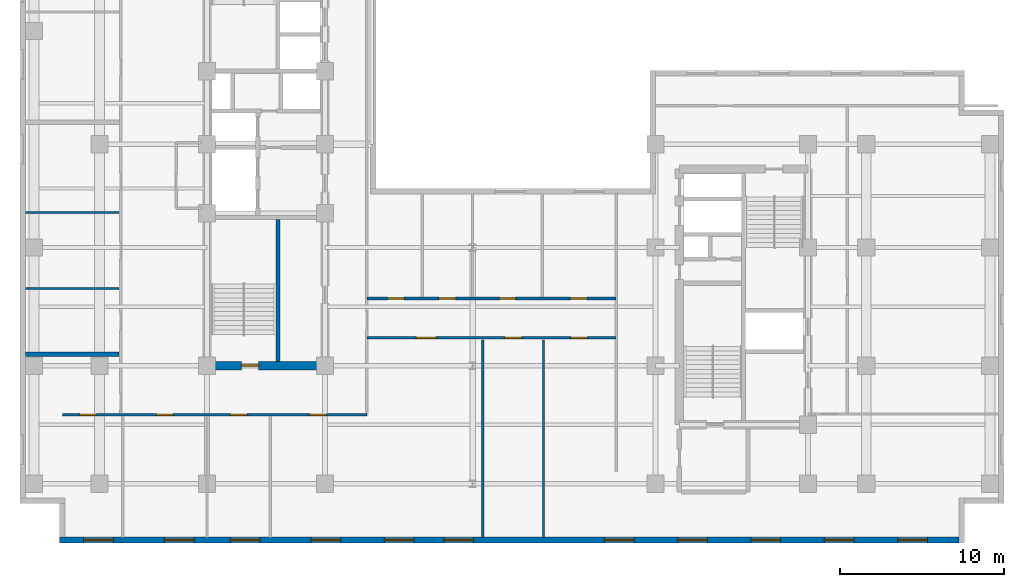
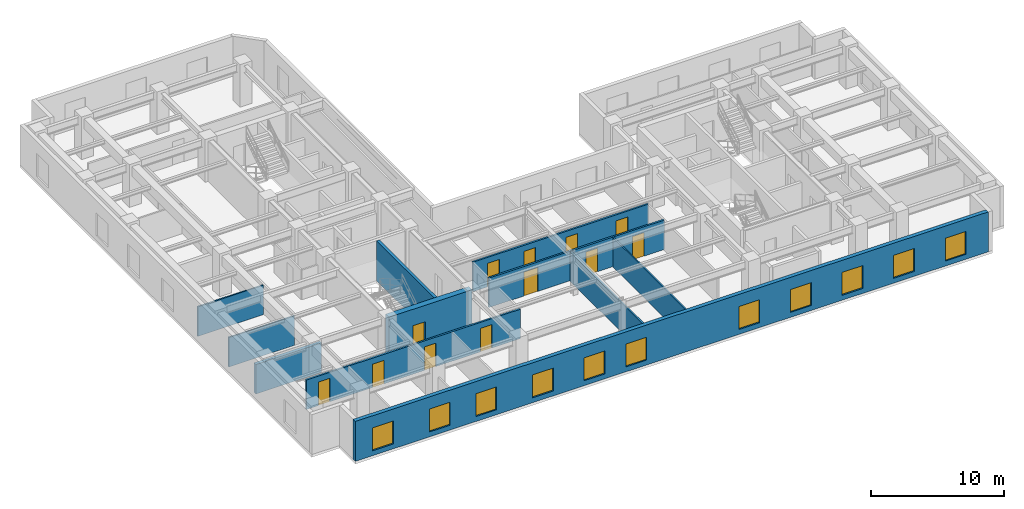
# One storey, part 3 of 9: 12 doors, 11 walls, 11 windows, 23 openings.
"""IFC4 building model written with IfcOpenShell, lengths in metres."""

from ifc_helpers import new_model, entity, si_unit, converted_unit, direction, frame, origin_with_axes, origin_2d_with_axis, place, context, subcontext, project, spatial, polyline, rectangle, outline, extrude, material, layer, layer_set, type_object, element, fill, save


model = new_model("IFC4")

# Units and contexts
model_context = context("Model", 3, precision=1e-05, world=origin_with_axes(), true_north=direction((0.0, 1.0)))
body_context = subcontext(model_context, "Body", "Model", "MODEL_VIEW")
ifc_project = project(units=[si_unit("LENGTHUNIT", "METRE"), si_unit("AREAUNIT", "SQUARE_METRE"), si_unit("VOLUMEUNIT", "CUBIC_METRE"), converted_unit("PLANEANGLEUNIT", "DEGREE", entity("IfcPlaneAngleMeasure", 0.017453292519943295), si_unit("PLANEANGLEUNIT", "RADIAN"), dimensions=[0, 0, 0, 0, 0, 0, 0]), si_unit("MASSUNIT", "GRAM", prefix="KILO"), si_unit("THERMODYNAMICTEMPERATUREUNIT", "KELVIN")], contexts=[model_context])

# Site, building, storey
site_placement = place(None, origin_with_axes())
site = spatial("IfcSite", under=ifc_project, at=site_placement, CompositionType="ELEMENT")
building_placement = place(site_placement, origin_with_axes())
building = spatial("IfcBuilding", under=site, at=building_placement, Name="Varnlund Millrace Tower", CompositionType="ELEMENT")
storey_placement = place(building_placement, frame((0.0, 0.0, 132.9), z_axis=(0.0, 0.0, 1.0), x_axis=(1.0, 0.0, 0.0)))
storey = spatial("IfcBuildingStorey", under=building, at=storey_placement, Name="L32", CompositionType="ELEMENT", Elevation=132.9)

# Wall, opening, door
ifc_material_1 = material(Name="Concrete C70/85", Category="concrete")
ifc_layer_1 = layer(ifc_material_1, 0.5, Name="Concrete C70/85")
ifc_layer_set_1 = layer_set([ifc_layer_1], Name="Concrete C70/85")
wall_type_1 = type_object("IfcWallType", Name="Type-CoreWall-Shear-500-C70", PredefinedType="SHEAR", material=ifc_layer_set_1)
wall_1_placement = place(storey_placement, frame((11.4, 10.8, 0.0), z_axis=(0.0, 0.0, 1.0), x_axis=(1.0, 0.0, 0.0)))
wall_1 = element("IfcWall", 1, at=wall_1_placement, inside=storey, type_object=wall_type_1, Name="Type-CoreWall-Shear-500-C70", PredefinedType="SHEAR", context=body_context, shape_type="SweptSolid", body=[
    extrude(outline(polyline([(0.0, -0.25), (7.2, -0.25), (7.2, 0.25), (0.0, 0.25), (0.0, -0.25)])), origin_with_axes(), (0.0, 0.0, 1.0), 3.66),
])
opening_1_placement = place(wall_1_placement, frame((2.625, 0.0, 0.0), z_axis=(0.0, 0.0, 1.0), x_axis=(1.0, 0.0, 0.0)))
opening_1 = element("IfcOpeningElement", 2, at=opening_1_placement, cuts=wall_1, Name="Opening L32:DR-STA1", PredefinedType="OPENING", context=body_context, shape_type="SweptSolid", body=[
    extrude(rectangle(XDim=1.05, YDim=0.52, at=origin_2d_with_axis()), origin_with_axes(), (0.0, 0.0, 1.0), 2.15),
])
ifc_material_2 = material(Name="Fire-rated hollow steel door", Category="steel")
door_type_1 = type_object("IfcDoorType", Name="Type-FireDoor-Stair-1050X2150", OperationType="NOTDEFINED", PredefinedType="DOOR", material=ifc_material_2)
door_1_placement = place(wall_1_placement, frame((2.625, 0.0, 0.0), z_axis=(0.0, 0.0, 1.0), x_axis=(1.0, 0.0, 0.0)))
door_1 = element("IfcDoor", 3, at=door_1_placement, inside=storey, type_object=door_type_1, Name="Type-FireDoor-Stair-1050X2150", OperationType="SINGLE_SWING_LEFT", OverallHeight=2.15, OverallWidth=1.05, PredefinedType="DOOR", context=body_context, shape_type="SweptSolid", body=[
    extrude(rectangle(XDim=1.05, YDim=0.09, at=origin_2d_with_axis()), origin_with_axes(), (0.0, 0.0, 1.0), 2.15),
])
fill(opening_1, door_1)

# Wall, openings, windows
ifc_material_3 = material(Name="Precast concrete C50/60", Category="concrete")
ifc_layer_2 = layer(ifc_material_3, 0.34, Name="Precast concrete C50/60")
ifc_layer_set_2 = layer_set([ifc_layer_2], Name="Precast concrete C50/60")
wall_type_2 = type_object("IfcWallType", Name="Type-ExtWall-Precast-Upper-340", PredefinedType="SOLIDWALL", material=ifc_layer_set_2)
wall_2_placement = place(storey_placement, frame((57.26, 0.17, 0.0), z_axis=(0.0, 0.0, 1.0), x_axis=(-1.0, 0.0, 0.0)))
wall_2 = element("IfcWall", 4, at=wall_2_placement, inside=storey, type_object=wall_type_2, Name="Type-ExtWall-Precast-Upper-340", PredefinedType="SOLIDWALL", context=body_context, shape_type="SweptSolid", body=[
    extrude(outline(polyline([(0.0, -0.17), (54.86, -0.17), (54.86, 0.17), (0.0, 0.17), (0.0, -0.17)])), origin_with_axes(), (0.0, 0.0, 1.0), 3.66),
])
opening_2_placement = place(wall_2_placement, frame((2.836, 0.0, 0.45), z_axis=(0.0, 0.0, 1.0), x_axis=(1.0, 0.0, 0.0)))
opening_2 = element("IfcOpeningElement", 5, at=opening_2_placement, cuts=wall_2, Name="Opening L32:WN-08", PredefinedType="OPENING", context=body_context, shape_type="SweptSolid", body=[
    extrude(rectangle(XDim=1.8, YDim=0.36, at=origin_2d_with_axis()), origin_with_axes(), (0.0, 0.0, 1.0), 2.1),
])
opening_3_placement = place(wall_2_placement, frame((7.307, 0.0, 0.45), z_axis=(0.0, 0.0, 1.0), x_axis=(1.0, 0.0, 0.0)))
opening_3 = element("IfcOpeningElement", 6, at=opening_3_placement, cuts=wall_2, Name="Opening L32:WN-09", PredefinedType="OPENING", context=body_context, shape_type="SweptSolid", body=[
    extrude(rectangle(XDim=1.8, YDim=0.36, at=origin_2d_with_axis()), origin_with_axes(), (0.0, 0.0, 1.0), 2.1),
])
opening_4_placement = place(wall_2_placement, frame((11.779, 0.0, 0.45), z_axis=(0.0, 0.0, 1.0), x_axis=(1.0, 0.0, 0.0)))
opening_4 = element("IfcOpeningElement", 7, at=opening_4_placement, cuts=wall_2, Name="Opening L32:WN-10", PredefinedType="OPENING", context=body_context, shape_type="SweptSolid", body=[
    extrude(rectangle(XDim=1.8, YDim=0.36, at=origin_2d_with_axis()), origin_with_axes(), (0.0, 0.0, 1.0), 2.1),
])
opening_5_placement = place(wall_2_placement, frame((16.251, 0.0, 0.45), z_axis=(0.0, 0.0, 1.0), x_axis=(1.0, 0.0, 0.0)))
opening_5 = element("IfcOpeningElement", 8, at=opening_5_placement, cuts=wall_2, Name="Opening L32:WN-11", PredefinedType="OPENING", context=body_context, shape_type="SweptSolid", body=[
    extrude(rectangle(XDim=1.8, YDim=0.36, at=origin_2d_with_axis()), origin_with_axes(), (0.0, 0.0, 1.0), 2.1),
])
opening_6_placement = place(wall_2_placement, frame((20.723, 0.0, 0.45), z_axis=(0.0, 0.0, 1.0), x_axis=(1.0, 0.0, 0.0)))
opening_6 = element("IfcOpeningElement", 9, at=opening_6_placement, cuts=wall_2, Name="Opening L32:WN-12", PredefinedType="OPENING", context=body_context, shape_type="SweptSolid", body=[
    extrude(rectangle(XDim=1.8, YDim=0.36, at=origin_2d_with_axis()), origin_with_axes(), (0.0, 0.0, 1.0), 2.1),
])
opening_7_placement = place(wall_2_placement, frame((30.516, 0.0, 0.45), z_axis=(0.0, 0.0, 1.0), x_axis=(1.0, 0.0, 0.0)))
opening_7 = element("IfcOpeningElement", 10, at=opening_7_placement, cuts=wall_2, Name="Opening L32:WN-13", PredefinedType="OPENING", context=body_context, shape_type="SweptSolid", body=[
    extrude(rectangle(XDim=1.8, YDim=0.36, at=origin_2d_with_axis()), origin_with_axes(), (0.0, 0.0, 1.0), 2.1),
])
opening_8_placement = place(wall_2_placement, frame((34.138, 0.0, 0.45), z_axis=(0.0, 0.0, 1.0), x_axis=(1.0, 0.0, 0.0)))
opening_8 = element("IfcOpeningElement", 11, at=opening_8_placement, cuts=wall_2, Name="Opening L32:WN-14", PredefinedType="OPENING", context=body_context, shape_type="SweptSolid", body=[
    extrude(rectangle(XDim=1.8, YDim=0.36, at=origin_2d_with_axis()), origin_with_axes(), (0.0, 0.0, 1.0), 2.1),
])
opening_9_placement = place(wall_2_placement, frame((38.609, 0.0, 0.45), z_axis=(0.0, 0.0, 1.0), x_axis=(1.0, 0.0, 0.0)))
opening_9 = element("IfcOpeningElement", 12, at=opening_9_placement, cuts=wall_2, Name="Opening L32:WN-15", PredefinedType="OPENING", context=body_context, shape_type="SweptSolid", body=[
    extrude(rectangle(XDim=1.8, YDim=0.36, at=origin_2d_with_axis()), origin_with_axes(), (0.0, 0.0, 1.0), 2.1),
])
opening_10_placement = place(wall_2_placement, frame((43.531, 0.0, 0.45), z_axis=(0.0, 0.0, 1.0), x_axis=(1.0, 0.0, 0.0)))
opening_10 = element("IfcOpeningElement", 13, at=opening_10_placement, cuts=wall_2, Name="Opening L32:WN-16", PredefinedType="OPENING", context=body_context, shape_type="SweptSolid", body=[
    extrude(rectangle(XDim=1.8, YDim=0.36, at=origin_2d_with_axis()), origin_with_axes(), (0.0, 0.0, 1.0), 2.1),
])
opening_11_placement = place(wall_2_placement, frame((47.553, 0.0, 0.45), z_axis=(0.0, 0.0, 1.0), x_axis=(1.0, 0.0, 0.0)))
opening_11 = element("IfcOpeningElement", 14, at=opening_11_placement, cuts=wall_2, Name="Opening L32:WN-17", PredefinedType="OPENING", context=body_context, shape_type="SweptSolid", body=[
    extrude(rectangle(XDim=1.8, YDim=0.36, at=origin_2d_with_axis()), origin_with_axes(), (0.0, 0.0, 1.0), 2.1),
])
opening_12_placement = place(wall_2_placement, frame((52.474, 0.0, 0.45), z_axis=(0.0, 0.0, 1.0), x_axis=(1.0, 0.0, 0.0)))
opening_12 = element("IfcOpeningElement", 15, at=opening_12_placement, cuts=wall_2, Name="Opening L32:WN-18", PredefinedType="OPENING", context=body_context, shape_type="SweptSolid", body=[
    extrude(rectangle(XDim=1.8, YDim=0.36, at=origin_2d_with_axis()), origin_with_axes(), (0.0, 0.0, 1.0), 2.1),
])
ifc_material_4 = material(Name="Argon low-e triple glazing in thermally broken bronze frame", Category="glass")
window_type = type_object("IfcWindowType", Name="Type-Window-Punched-1800X2100", PartitioningType="SINGLE_PANEL", PredefinedType="WINDOW", material=ifc_material_4)
window_1_placement = place(wall_2_placement, frame((2.836, 0.0, 0.45), z_axis=(0.0, 0.0, 1.0), x_axis=(1.0, 0.0, 0.0)))
window_1 = element("IfcWindow", 16, at=window_1_placement, inside=storey, type_object=window_type, Name="Type-Window-Punched-1800X2100", OverallHeight=2.1, OverallWidth=1.8, PredefinedType="WINDOW", context=body_context, shape_type="SweptSolid", body=[
    extrude(rectangle(XDim=1.8, YDim=0.09, at=origin_2d_with_axis()), origin_with_axes(), (0.0, 0.0, 1.0), 2.1),
])
fill(opening_2, window_1)
window_2_placement = place(wall_2_placement, frame((7.307, 0.0, 0.45), z_axis=(0.0, 0.0, 1.0), x_axis=(1.0, 0.0, 0.0)))
window_2 = element("IfcWindow", 17, at=window_2_placement, inside=storey, type_object=window_type, Name="Type-Window-Punched-1800X2100", OverallHeight=2.1, OverallWidth=1.8, PredefinedType="WINDOW", context=body_context, shape_type="SweptSolid", body=[
    extrude(rectangle(XDim=1.8, YDim=0.09, at=origin_2d_with_axis()), origin_with_axes(), (0.0, 0.0, 1.0), 2.1),
])
fill(opening_3, window_2)
window_3_placement = place(wall_2_placement, frame((11.779, 0.0, 0.45), z_axis=(0.0, 0.0, 1.0), x_axis=(1.0, 0.0, 0.0)))
window_3 = element("IfcWindow", 18, at=window_3_placement, inside=storey, type_object=window_type, Name="Type-Window-Punched-1800X2100", OverallHeight=2.1, OverallWidth=1.8, PredefinedType="WINDOW", context=body_context, shape_type="SweptSolid", body=[
    extrude(rectangle(XDim=1.8, YDim=0.09, at=origin_2d_with_axis()), origin_with_axes(), (0.0, 0.0, 1.0), 2.1),
])
fill(opening_4, window_3)
window_4_placement = place(wall_2_placement, frame((16.251, 0.0, 0.45), z_axis=(0.0, 0.0, 1.0), x_axis=(1.0, 0.0, 0.0)))
window_4 = element("IfcWindow", 19, at=window_4_placement, inside=storey, type_object=window_type, Name="Type-Window-Punched-1800X2100", OverallHeight=2.1, OverallWidth=1.8, PredefinedType="WINDOW", context=body_context, shape_type="SweptSolid", body=[
    extrude(rectangle(XDim=1.8, YDim=0.09, at=origin_2d_with_axis()), origin_with_axes(), (0.0, 0.0, 1.0), 2.1),
])
fill(opening_5, window_4)
window_5_placement = place(wall_2_placement, frame((20.723, 0.0, 0.45), z_axis=(0.0, 0.0, 1.0), x_axis=(1.0, 0.0, 0.0)))
window_5 = element("IfcWindow", 20, at=window_5_placement, inside=storey, type_object=window_type, Name="Type-Window-Punched-1800X2100", OverallHeight=2.1, OverallWidth=1.8, PredefinedType="WINDOW", context=body_context, shape_type="SweptSolid", body=[
    extrude(rectangle(XDim=1.8, YDim=0.09, at=origin_2d_with_axis()), origin_with_axes(), (0.0, 0.0, 1.0), 2.1),
])
fill(opening_6, window_5)
window_6_placement = place(wall_2_placement, frame((30.516, 0.0, 0.45), z_axis=(0.0, 0.0, 1.0), x_axis=(1.0, 0.0, 0.0)))
window_6 = element("IfcWindow", 21, at=window_6_placement, inside=storey, type_object=window_type, Name="Type-Window-Punched-1800X2100", OverallHeight=2.1, OverallWidth=1.8, PredefinedType="WINDOW", context=body_context, shape_type="SweptSolid", body=[
    extrude(rectangle(XDim=1.8, YDim=0.09, at=origin_2d_with_axis()), origin_with_axes(), (0.0, 0.0, 1.0), 2.1),
])
fill(opening_7, window_6)
window_7_placement = place(wall_2_placement, frame((34.138, 0.0, 0.45), z_axis=(0.0, 0.0, 1.0), x_axis=(1.0, 0.0, 0.0)))
window_7 = element("IfcWindow", 22, at=window_7_placement, inside=storey, type_object=window_type, Name="Type-Window-Punched-1800X2100", OverallHeight=2.1, OverallWidth=1.8, PredefinedType="WINDOW", context=body_context, shape_type="SweptSolid", body=[
    extrude(rectangle(XDim=1.8, YDim=0.09, at=origin_2d_with_axis()), origin_with_axes(), (0.0, 0.0, 1.0), 2.1),
])
fill(opening_8, window_7)
window_8_placement = place(wall_2_placement, frame((38.609, 0.0, 0.45), z_axis=(0.0, 0.0, 1.0), x_axis=(1.0, 0.0, 0.0)))
window_8 = element("IfcWindow", 23, at=window_8_placement, inside=storey, type_object=window_type, Name="Type-Window-Punched-1800X2100", OverallHeight=2.1, OverallWidth=1.8, PredefinedType="WINDOW", context=body_context, shape_type="SweptSolid", body=[
    extrude(rectangle(XDim=1.8, YDim=0.09, at=origin_2d_with_axis()), origin_with_axes(), (0.0, 0.0, 1.0), 2.1),
])
fill(opening_9, window_8)
window_9_placement = place(wall_2_placement, frame((43.531, 0.0, 0.45), z_axis=(0.0, 0.0, 1.0), x_axis=(1.0, 0.0, 0.0)))
window_9 = element("IfcWindow", 24, at=window_9_placement, inside=storey, type_object=window_type, Name="Type-Window-Punched-1800X2100", OverallHeight=2.1, OverallWidth=1.8, PredefinedType="WINDOW", context=body_context, shape_type="SweptSolid", body=[
    extrude(rectangle(XDim=1.8, YDim=0.09, at=origin_2d_with_axis()), origin_with_axes(), (0.0, 0.0, 1.0), 2.1),
])
fill(opening_10, window_9)
window_10_placement = place(wall_2_placement, frame((47.553, 0.0, 0.45), z_axis=(0.0, 0.0, 1.0), x_axis=(1.0, 0.0, 0.0)))
window_10 = element("IfcWindow", 25, at=window_10_placement, inside=storey, type_object=window_type, Name="Type-Window-Punched-1800X2100", OverallHeight=2.1, OverallWidth=1.8, PredefinedType="WINDOW", context=body_context, shape_type="SweptSolid", body=[
    extrude(rectangle(XDim=1.8, YDim=0.09, at=origin_2d_with_axis()), origin_with_axes(), (0.0, 0.0, 1.0), 2.1),
])
fill(opening_11, window_10)
window_11_placement = place(wall_2_placement, frame((52.474, 0.0, 0.45), z_axis=(0.0, 0.0, 1.0), x_axis=(1.0, 0.0, 0.0)))
window_11 = element("IfcWindow", 26, at=window_11_placement, inside=storey, type_object=window_type, Name="Type-Window-Punched-1800X2100", OverallHeight=2.1, OverallWidth=1.8, PredefinedType="WINDOW", context=body_context, shape_type="SweptSolid", body=[
    extrude(rectangle(XDim=1.8, YDim=0.09, at=origin_2d_with_axis()), origin_with_axes(), (0.0, 0.0, 1.0), 2.1),
])
fill(opening_12, window_11)

# Wall
ifc_material_5 = material(Name="Double-stud STC-60 conference acoustic partition", Category="gypsum")
ifc_layer_3 = layer(ifc_material_5, 0.28, Name="Double-stud STC-60 conference acoustic partition")
ifc_layer_set_3 = layer_set([ifc_layer_3], Name="Double-stud STC-60 conference acoustic partition")
wall_type_3 = type_object("IfcWallType", Name="Type-Partition-Acoustic-280", PredefinedType="PARTITIONING", material=ifc_layer_set_3)
wall_3_placement = place(storey_placement, frame((0.335, 11.505, 0.0), z_axis=(0.0, 0.0, 1.0), x_axis=(1.0, 0.0, 0.0)))
element("IfcWall", 27, at=wall_3_placement, inside=storey, type_object=wall_type_3, Name="Type-Partition-Acoustic-280", PredefinedType="PARTITIONING", context=body_context, shape_type="SweptSolid", body=[
    extrude(outline(polyline([(0.0, -0.14), (5.695, -0.14), (5.695, 0.14), (0.0, 0.14), (0.0, -0.14)])), origin_with_axes(), (0.0, 0.0, 1.0), 2.7),
])

# Wall, openings, doors
ifc_material_6 = material(Name="Fire-rated gypsum board on cold-formed steel framing", Category="steel")
ifc_layer_4 = layer(ifc_material_6, 0.16, Name="Fire-rated gypsum board on cold-formed steel framing")
ifc_layer_set_4 = layer_set([ifc_layer_4], Name="Fire-rated gypsum board on cold-formed steel framing")
wall_type_4 = type_object("IfcWallType", Name="Type-Partition-Corridor-160", PredefinedType="PARTITIONING", material=ifc_layer_set_4)
wall_4_placement = place(storey_placement, frame((2.6, 7.8, 0.0), z_axis=(0.0, 0.0, 1.0), x_axis=(1.0, 0.0, 0.0)))
wall_4 = element("IfcWall", 28, at=wall_4_placement, inside=storey, type_object=wall_type_4, Name="Type-Partition-Corridor-160", PredefinedType="PARTITIONING", context=body_context, shape_type="SweptSolid", body=[
    extrude(outline(polyline([(0.0, -0.08), (18.55, -0.08), (18.55, 0.08), (0.0, 0.08), (0.0, -0.08)])), origin_with_axes(), (0.0, 0.0, 1.0), 2.7),
])
opening_13_placement = place(wall_4_placement, frame((1.55, 0.0, 0.0), z_axis=(0.0, 0.0, 1.0), x_axis=(1.0, 0.0, 0.0)))
opening_13 = element("IfcOpeningElement", 29, at=opening_13_placement, cuts=wall_4, Name="Opening L32:DR-WAS-01", PredefinedType="OPENING", context=body_context, shape_type="SweptSolid", body=[
    extrude(rectangle(XDim=1.0, YDim=0.18, at=origin_2d_with_axis()), origin_with_axes(), (0.0, 0.0, 1.0), 2.15),
])
opening_14_placement = place(wall_4_placement, frame((6.235, 0.0, 0.0), z_axis=(0.0, 0.0, 1.0), x_axis=(1.0, 0.0, 0.0)))
opening_14 = element("IfcOpeningElement", 30, at=opening_14_placement, cuts=wall_4, Name="Opening L32:DR-WAS-02", PredefinedType="OPENING", context=body_context, shape_type="SweptSolid", body=[
    extrude(rectangle(XDim=1.0, YDim=0.18, at=origin_2d_with_axis()), origin_with_axes(), (0.0, 0.0, 1.0), 2.15),
])
opening_15_placement = place(wall_4_placement, frame((10.73, 0.0, 0.0), z_axis=(0.0, 0.0, 1.0), x_axis=(1.0, 0.0, 0.0)))
opening_15 = element("IfcOpeningElement", 31, at=opening_15_placement, cuts=wall_4, Name="Opening L32:DR-WAS-03", PredefinedType="OPENING", context=body_context, shape_type="SweptSolid", body=[
    extrude(rectangle(XDim=1.0, YDim=0.18, at=origin_2d_with_axis()), origin_with_axes(), (0.0, 0.0, 1.0), 2.15),
])
opening_16_placement = place(wall_4_placement, frame((15.58, 0.0, 0.0), z_axis=(0.0, 0.0, 1.0), x_axis=(1.0, 0.0, 0.0)))
opening_16 = element("IfcOpeningElement", 32, at=opening_16_placement, cuts=wall_4, Name="Opening L32:DR-WAS-04", PredefinedType="OPENING", context=body_context, shape_type="SweptSolid", body=[
    extrude(rectangle(XDim=1.0, YDim=0.18, at=origin_2d_with_axis()), origin_with_axes(), (0.0, 0.0, 1.0), 2.15),
])
ifc_material_7 = material(Name="Solid-core white oak and bronze frame door")
door_type_2 = type_object("IfcDoorType", Name="Type-IntDoor-Office-1000X2150", OperationType="NOTDEFINED", PredefinedType="DOOR", material=ifc_material_7)
door_2_placement = place(wall_4_placement, frame((1.55, 0.0, 0.0), z_axis=(0.0, 0.0, 1.0), x_axis=(1.0, 0.0, 0.0)))
door_2 = element("IfcDoor", 33, at=door_2_placement, inside=storey, type_object=door_type_2, Name="Type-IntDoor-Office-1000X2150", OperationType="SINGLE_SWING_LEFT", OverallHeight=2.15, OverallWidth=1.0, PredefinedType="DOOR", context=body_context, shape_type="SweptSolid", body=[
    extrude(rectangle(XDim=1.0, YDim=0.09, at=origin_2d_with_axis()), origin_with_axes(), (0.0, 0.0, 1.0), 2.15),
])
fill(opening_13, door_2)
door_3_placement = place(wall_4_placement, frame((6.235, 0.0, 0.0), z_axis=(0.0, 0.0, 1.0), x_axis=(1.0, 0.0, 0.0)))
door_3 = element("IfcDoor", 34, at=door_3_placement, inside=storey, type_object=door_type_2, Name="Type-IntDoor-Office-1000X2150", OperationType="SINGLE_SWING_RIGHT", OverallHeight=2.15, OverallWidth=1.0, PredefinedType="DOOR", context=body_context, shape_type="SweptSolid", body=[
    extrude(rectangle(XDim=1.0, YDim=0.09, at=origin_2d_with_axis()), origin_with_axes(), (0.0, 0.0, 1.0), 2.15),
])
fill(opening_14, door_3)
door_4_placement = place(wall_4_placement, frame((10.73, 0.0, 0.0), z_axis=(0.0, 0.0, 1.0), x_axis=(1.0, 0.0, 0.0)))
door_4 = element("IfcDoor", 35, at=door_4_placement, inside=storey, type_object=door_type_2, Name="Type-IntDoor-Office-1000X2150", OperationType="SINGLE_SWING_LEFT", OverallHeight=2.15, OverallWidth=1.0, PredefinedType="DOOR", context=body_context, shape_type="SweptSolid", body=[
    extrude(rectangle(XDim=1.0, YDim=0.09, at=origin_2d_with_axis()), origin_with_axes(), (0.0, 0.0, 1.0), 2.15),
])
fill(opening_15, door_4)
door_5_placement = place(wall_4_placement, frame((15.58, 0.0, 0.0), z_axis=(0.0, 0.0, 1.0), x_axis=(1.0, 0.0, 0.0)))
door_5 = element("IfcDoor", 36, at=door_5_placement, inside=storey, type_object=door_type_2, Name="Type-IntDoor-Office-1000X2150", OperationType="SINGLE_SWING_RIGHT", OverallHeight=2.15, OverallWidth=1.0, PredefinedType="DOOR", context=body_context, shape_type="SweptSolid", body=[
    extrude(rectangle(XDim=1.0, YDim=0.09, at=origin_2d_with_axis()), origin_with_axes(), (0.0, 0.0, 1.0), 2.15),
])
fill(opening_16, door_5)

wall_5_placement = place(storey_placement, frame((21.15, 12.5, 0.0), z_axis=(0.0, 0.0, 1.0), x_axis=(1.0, 0.0, 0.0)))
wall_5 = element("IfcWall", 37, at=wall_5_placement, inside=storey, type_object=wall_type_4, Name="Type-Partition-Corridor-160", PredefinedType="PARTITIONING", context=body_context, shape_type="SweptSolid", body=[
    extrude(outline(polyline([(0.0, -0.08), (15.2, -0.08), (15.2, 0.08), (0.0, 0.08), (0.0, -0.08)])), origin_with_axes(), (0.0, 0.0, 1.0), 2.7),
])
opening_17_placement = place(wall_5_placement, frame((3.623, 0.0, 0.0), z_axis=(0.0, 0.0, 1.0), x_axis=(1.0, 0.0, 0.0)))
opening_17 = element("IfcOpeningElement", 38, at=opening_17_placement, cuts=wall_5, Name="Opening L32:DR-KNS-01", PredefinedType="OPENING", context=body_context, shape_type="SweptSolid", body=[
    extrude(rectangle(XDim=1.2, YDim=0.18, at=origin_2d_with_axis()), origin_with_axes(), (0.0, 0.0, 1.0), 2.2),
])
opening_18_placement = place(wall_5_placement, frame((8.9205, 0.0, 0.0), z_axis=(0.0, 0.0, 1.0), x_axis=(1.0, 0.0, 0.0)))
opening_18 = element("IfcOpeningElement", 39, at=opening_18_placement, cuts=wall_5, Name="Opening L32:DR-KNS-02", PredefinedType="OPENING", context=body_context, shape_type="SweptSolid", body=[
    extrude(rectangle(XDim=1.0, YDim=0.18, at=origin_2d_with_axis()), origin_with_axes(), (0.0, 0.0, 1.0), 2.15),
])
opening_19_placement = place(wall_5_placement, frame((12.9475, 0.0, 0.0), z_axis=(0.0, 0.0, 1.0), x_axis=(1.0, 0.0, 0.0)))
opening_19 = element("IfcOpeningElement", 40, at=opening_19_placement, cuts=wall_5, Name="Opening L32:DR-KNS-03", PredefinedType="OPENING", context=body_context, shape_type="SweptSolid", body=[
    extrude(rectangle(XDim=1.0, YDim=0.18, at=origin_2d_with_axis()), origin_with_axes(), (0.0, 0.0, 1.0), 2.15),
])
ifc_material_8 = material(Name="Wide executive white oak acoustic door")
door_type_3 = type_object("IfcDoorType", Name="Type-IntDoor-Exec-1200X2200", OperationType="NOTDEFINED", PredefinedType="DOOR", material=ifc_material_8)
door_6_placement = place(wall_5_placement, frame((3.623, 0.0, 0.0), z_axis=(0.0, 0.0, 1.0), x_axis=(1.0, 0.0, 0.0)))
door_6 = element("IfcDoor", 41, at=door_6_placement, inside=storey, type_object=door_type_3, Name="Type-IntDoor-Exec-1200X2200", OperationType="SINGLE_SWING_LEFT", OverallHeight=2.2, OverallWidth=1.2, PredefinedType="DOOR", context=body_context, shape_type="SweptSolid", body=[
    extrude(rectangle(XDim=1.2, YDim=0.09, at=origin_2d_with_axis()), origin_with_axes(), (0.0, 0.0, 1.0), 2.2),
])
fill(opening_17, door_6)
door_7_placement = place(wall_5_placement, frame((8.9205, 0.0, 0.0), z_axis=(0.0, 0.0, 1.0), x_axis=(1.0, 0.0, 0.0)))
door_7 = element("IfcDoor", 42, at=door_7_placement, inside=storey, type_object=door_type_2, Name="Type-IntDoor-Office-1000X2150", OperationType="SINGLE_SWING_RIGHT", OverallHeight=2.15, OverallWidth=1.0, PredefinedType="DOOR", context=body_context, shape_type="SweptSolid", body=[
    extrude(rectangle(XDim=1.0, YDim=0.09, at=origin_2d_with_axis()), origin_with_axes(), (0.0, 0.0, 1.0), 2.15),
])
fill(opening_18, door_7)
door_8_placement = place(wall_5_placement, frame((12.9475, 0.0, 0.0), z_axis=(0.0, 0.0, 1.0), x_axis=(1.0, 0.0, 0.0)))
door_8 = element("IfcDoor", 43, at=door_8_placement, inside=storey, type_object=door_type_2, Name="Type-IntDoor-Office-1000X2150", OperationType="SINGLE_SWING_LEFT", OverallHeight=2.15, OverallWidth=1.0, PredefinedType="DOOR", context=body_context, shape_type="SweptSolid", body=[
    extrude(rectangle(XDim=1.0, YDim=0.09, at=origin_2d_with_axis()), origin_with_axes(), (0.0, 0.0, 1.0), 2.15),
])
fill(opening_19, door_8)

wall_6_placement = place(storey_placement, frame((21.15, 14.9, 0.0), z_axis=(0.0, 0.0, 1.0), x_axis=(1.0, 0.0, 0.0)))
wall_6 = element("IfcWall", 44, at=wall_6_placement, inside=storey, type_object=wall_type_4, Name="Type-Partition-Corridor-160", PredefinedType="PARTITIONING", context=body_context, shape_type="SweptSolid", body=[
    extrude(outline(polyline([(0.0, -0.08), (15.2, -0.08), (15.2, 0.08), (0.0, 0.08), (0.0, -0.08)])), origin_with_axes(), (0.0, 0.0, 1.0), 2.7),
])
opening_20_placement = place(wall_6_placement, frame((1.7735, 0.0, 0.0), z_axis=(0.0, 0.0, 1.0), x_axis=(1.0, 0.0, 0.0)))
opening_20 = element("IfcOpeningElement", 45, at=opening_20_placement, cuts=wall_6, Name="Opening L32:DR-KN-01", PredefinedType="OPENING", context=body_context, shape_type="SweptSolid", body=[
    extrude(rectangle(XDim=1.0, YDim=0.18, at=origin_2d_with_axis()), origin_with_axes(), (0.0, 0.0, 1.0), 2.15),
])
opening_21_placement = place(wall_6_placement, frame((4.9085, 0.0, 0.0), z_axis=(0.0, 0.0, 1.0), x_axis=(1.0, 0.0, 0.0)))
opening_21 = element("IfcOpeningElement", 46, at=opening_21_placement, cuts=wall_6, Name="Opening L32:DR-KN-02", PredefinedType="OPENING", context=body_context, shape_type="SweptSolid", body=[
    extrude(rectangle(XDim=1.0, YDim=0.18, at=origin_2d_with_axis()), origin_with_axes(), (0.0, 0.0, 1.0), 2.15),
])
opening_22_placement = place(wall_6_placement, frame((8.5755, 0.0, 0.0), z_axis=(0.0, 0.0, 1.0), x_axis=(1.0, 0.0, 0.0)))
opening_22 = element("IfcOpeningElement", 47, at=opening_22_placement, cuts=wall_6, Name="Opening L32:DR-KN-03", PredefinedType="OPENING", context=body_context, shape_type="SweptSolid", body=[
    extrude(rectangle(XDim=1.0, YDim=0.18, at=origin_2d_with_axis()), origin_with_axes(), (0.0, 0.0, 1.0), 2.15),
])
opening_23_placement = place(wall_6_placement, frame((12.9105, 0.0, 0.0), z_axis=(0.0, 0.0, 1.0), x_axis=(1.0, 0.0, 0.0)))
opening_23 = element("IfcOpeningElement", 48, at=opening_23_placement, cuts=wall_6, Name="Opening L32:DR-KN-04", PredefinedType="OPENING", context=body_context, shape_type="SweptSolid", body=[
    extrude(rectangle(XDim=1.0, YDim=0.18, at=origin_2d_with_axis()), origin_with_axes(), (0.0, 0.0, 1.0), 2.15),
])
door_9_placement = place(wall_6_placement, frame((1.7735, 0.0, 0.0), z_axis=(0.0, 0.0, 1.0), x_axis=(1.0, 0.0, 0.0)))
door_9 = element("IfcDoor", 49, at=door_9_placement, inside=storey, type_object=door_type_2, Name="Type-IntDoor-Office-1000X2150", OperationType="SINGLE_SWING_LEFT", OverallHeight=2.15, OverallWidth=1.0, PredefinedType="DOOR", context=body_context, shape_type="SweptSolid", body=[
    extrude(rectangle(XDim=1.0, YDim=0.09, at=origin_2d_with_axis()), origin_with_axes(), (0.0, 0.0, 1.0), 2.15),
])
fill(opening_20, door_9)
door_10_placement = place(wall_6_placement, frame((4.9085, 0.0, 0.0), z_axis=(0.0, 0.0, 1.0), x_axis=(1.0, 0.0, 0.0)))
door_10 = element("IfcDoor", 50, at=door_10_placement, inside=storey, type_object=door_type_2, Name="Type-IntDoor-Office-1000X2150", OperationType="SINGLE_SWING_RIGHT", OverallHeight=2.15, OverallWidth=1.0, PredefinedType="DOOR", context=body_context, shape_type="SweptSolid", body=[
    extrude(rectangle(XDim=1.0, YDim=0.09, at=origin_2d_with_axis()), origin_with_axes(), (0.0, 0.0, 1.0), 2.15),
])
fill(opening_21, door_10)
door_11_placement = place(wall_6_placement, frame((8.5755, 0.0, 0.0), z_axis=(0.0, 0.0, 1.0), x_axis=(1.0, 0.0, 0.0)))
door_11 = element("IfcDoor", 51, at=door_11_placement, inside=storey, type_object=door_type_2, Name="Type-IntDoor-Office-1000X2150", OperationType="SINGLE_SWING_LEFT", OverallHeight=2.15, OverallWidth=1.0, PredefinedType="DOOR", context=body_context, shape_type="SweptSolid", body=[
    extrude(rectangle(XDim=1.0, YDim=0.09, at=origin_2d_with_axis()), origin_with_axes(), (0.0, 0.0, 1.0), 2.15),
])
fill(opening_22, door_11)
door_12_placement = place(wall_6_placement, frame((12.9105, 0.0, 0.0), z_axis=(0.0, 0.0, 1.0), x_axis=(1.0, 0.0, 0.0)))
door_12 = element("IfcDoor", 52, at=door_12_placement, inside=storey, type_object=door_type_2, Name="Type-IntDoor-Office-1000X2150", OperationType="SINGLE_SWING_RIGHT", OverallHeight=2.15, OverallWidth=1.0, PredefinedType="DOOR", context=body_context, shape_type="SweptSolid", body=[
    extrude(rectangle(XDim=1.0, YDim=0.09, at=origin_2d_with_axis()), origin_with_axes(), (0.0, 0.0, 1.0), 2.15),
])
fill(opening_23, door_12)

# Walls
ifc_material_9 = material(Name="Acoustic STC-50 gypsum board partition", Category="gypsum")
ifc_layer_5 = layer(ifc_material_9, 0.15, Name="Acoustic STC-50 gypsum board partition")
ifc_layer_set_5 = layer_set([ifc_layer_5], Name="Acoustic STC-50 gypsum board partition")
wall_type_5 = type_object("IfcWallType", Name="Type-Partition-Demising-150", PredefinedType="PARTITIONING", material=ifc_layer_set_5)
wall_7_placement = place(storey_placement, frame((28.216, 0.335, 0.0), z_axis=(0.0, 0.0, 1.0), x_axis=(0.0, 1.0, 0.0)))
element("IfcWall", 53, at=wall_7_placement, inside=storey, type_object=wall_type_5, Name="Type-Partition-Demising-150", PredefinedType="PARTITIONING", context=body_context, shape_type="SweptSolid", body=[
    extrude(outline(polyline([(0.0, -0.075), (12.045, -0.075), (12.045, 0.075), (0.0, 0.075), (0.0, -0.075)])), origin_with_axes(), (0.0, 0.0, 1.0), 2.7),
])
ifc_material_10 = material(Name="Gypsum board tenant partition", Category="gypsum")
ifc_layer_6 = layer(ifc_material_10, 0.125, Name="Gypsum board tenant partition")
ifc_layer_set_6 = layer_set([ifc_layer_6], Name="Gypsum board tenant partition")
wall_type_6 = type_object("IfcWallType", Name="Type-Partition-Tenant-125", PredefinedType="PARTITIONING", material=ifc_layer_set_6)
for number, where, z_axis, x_axis, name in (
    (54, (0.335, 15.503, 0.0), (0.0, 0.0, 1.0), (1.0, 0.0, 0.0), "Type-Partition-Tenant-125"),
    (55, (0.335, 20.148, 0.0), (0.0, 0.0, 1.0), (1.0, 0.0, 0.0), "Type-Partition-Tenant-125"),
):
    element("IfcWall", number, at=place(storey_placement, frame(where, z_axis=z_axis, x_axis=x_axis)), inside=storey, type_object=wall_type_6, Name=name, PredefinedType="PARTITIONING", context=body_context, shape_type="SweptSolid", body=[
        extrude(outline(polyline([(0.0, -0.0625), (5.695, -0.0625), (5.695, 0.0625), (0.0, 0.0625), (0.0, -0.0625)])), origin_with_axes(), (0.0, 0.0, 1.0), 2.7),
    ])
wall_8_placement = place(storey_placement, frame((31.925, 0.335, 0.0), z_axis=(0.0, 0.0, 1.0), x_axis=(0.0, 1.0, 0.0)))
element("IfcWall", 56, at=wall_8_placement, inside=storey, type_object=wall_type_6, Name="Type-Partition-Tenant-125", PredefinedType="PARTITIONING", context=body_context, shape_type="SweptSolid", body=[
    extrude(outline(polyline([(0.0, -0.0625), (12.045, -0.0625), (12.045, 0.0625), (0.0, 0.0625), (0.0, -0.0625)])), origin_with_axes(), (0.0, 0.0, 1.0), 2.7),
])
ifc_material_11 = material(Name="Concrete C60/75", Category="concrete")
ifc_layer_7 = layer(ifc_material_11, 0.25, Name="Concrete C60/75")
ifc_layer_set_7 = layer_set([ifc_layer_7], Name="Concrete C60/75")
wall_type_7 = type_object("IfcWallType", Name="Type-StairWall-Shear-250", PredefinedType="SHEAR", material=ifc_layer_set_7)
wall_9_placement = place(storey_placement, frame((15.725, 11.05, 0.0), z_axis=(0.0, 0.0, 1.0), x_axis=(0.0, 1.0, 0.0)))
element("IfcWall", 57, at=wall_9_placement, inside=storey, type_object=wall_type_7, Name="Type-StairWall-Shear-250", PredefinedType="SHEAR", context=body_context, shape_type="SweptSolid", body=[
    extrude(outline(polyline([(0.0, -0.125), (8.65, -0.125), (8.65, 0.125), (0.0, 0.125), (0.0, -0.125)])), origin_with_axes(), (0.0, 0.0, 1.0), 3.66),
])

save(model, "model.ifc")
